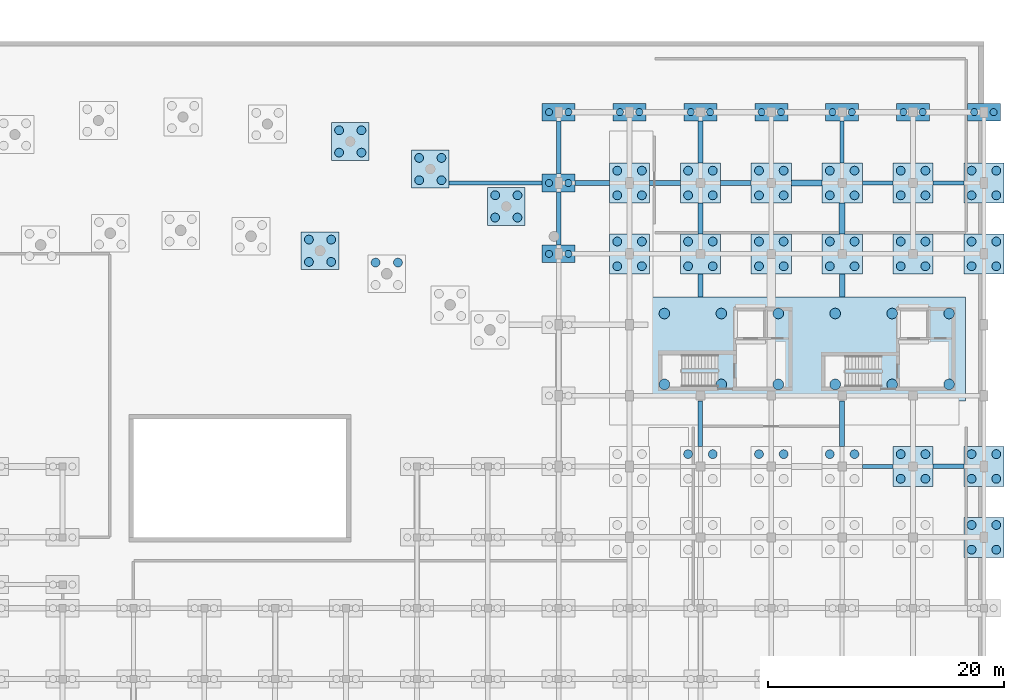
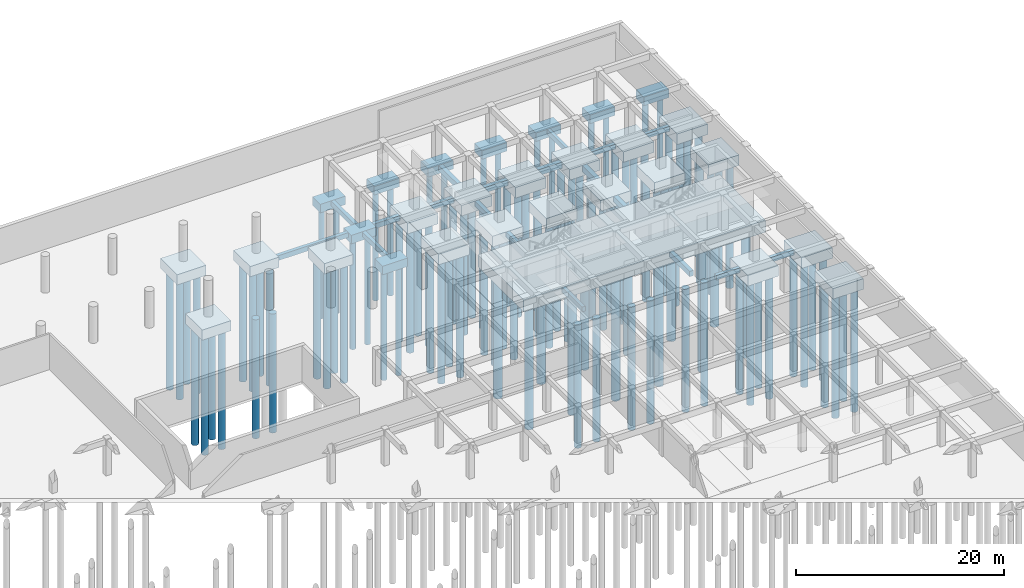
# One storey, part 13 of 41: 114 piles, 48 footings.
"""IFC4 building model written with IfcOpenShell, lengths in metres."""

from ifc_helpers import new_model, si_unit, direction, frame, origin, origin_2d, place, context, subcontext, project, spatial, polyline, rectangle, circle, outline, extrude, material, material_profile, profile_set, type_object, element, save


model = new_model("IFC4")

# Units and contexts
model_context = context("Model", 3, precision=1e-05, world=origin(), true_north=direction((0.0, 1.0)))
body_context = subcontext(model_context, "Body", "Model", "MODEL_VIEW")
ifc_project = project(units=[si_unit("LENGTHUNIT", "METRE"), si_unit("AREAUNIT", "SQUARE_METRE"), si_unit("VOLUMEUNIT", "CUBIC_METRE"), si_unit("PLANEANGLEUNIT", "RADIAN"), si_unit("MASSUNIT", "GRAM", prefix="KILO"), si_unit("POWERUNIT", "WATT"), si_unit("THERMODYNAMICTEMPERATUREUNIT", "KELVIN")], contexts=[model_context])

# Site, building, storey
site_placement = place(None, origin())
site = spatial("IfcSite", under=ifc_project, at=site_placement, CompositionType="ELEMENT")
building_placement = place(site_placement, origin())
building = spatial("IfcBuilding", under=site, at=building_placement, Name="Ruvembo Vaulted Housing Court", CompositionType="ELEMENT")
storey_placement = place(building_placement, frame((0.0, 0.0, -4.5)))
storey = spatial("IfcBuildingStorey", under=building, at=storey_placement, Name="B1", CompositionType="ELEMENT", Elevation=-4.5)

# Footings
ifc_material_1 = material(Name="Concrete C30/37", Category="concrete")
footing_type_1 = type_object("IfcFootingType", Name="GB-350x550", PredefinedType="FOOTING_BEAM", material=ifc_material_1)
footing_1_placement = place(storey_placement, frame((0.0, 0.0, -0.85009765625)))
element("IfcFooting", 1, at=footing_1_placement, inside=storey, type_object=footing_type_1, Name="Ground Tie Beam GB-162", PredefinedType="FOOTING_BEAM", context=body_context, shape_type="SweptSolid", body=[
    extrude(outline(polyline([(175.699951171875, 77.824951171875), (178.300048828125, 77.824951171875), (178.300048828125, 78.175048828125), (175.699951171875, 78.175048828125), (175.699951171875, 77.824951171875)])), origin(), (0.0, 0.0, 1.0), 0.550048828125),
])
footing_2_placement = place(storey_placement, frame((0.0, 0.0, -0.85009765625)))
element("IfcFooting", 2, at=footing_2_placement, inside=storey, type_object=footing_type_1, Name="Ground Tie Beam GB-180", PredefinedType="FOOTING_BEAM", context=body_context, shape_type="SweptSolid", body=[
    extrude(outline(polyline([(175.699951171875, 101.824951171875), (178.300048828125, 101.824951171875), (178.300048828125, 102.175048828125), (175.699951171875, 102.175048828125), (175.699951171875, 101.824951171875)])), origin(), (0.0, 0.0, 1.0), 0.550048828125),
])
footing_3_placement = place(storey_placement, frame((0.0, 0.0, -0.85009765625)))
element("IfcFooting", 3, at=footing_3_placement, inside=storey, type_object=footing_type_1, Name="Ground Tie Beam GB-348", PredefinedType="FOOTING_BEAM", context=body_context, shape_type="SweptSolid", body=[
    extrude(outline(polyline([(173.824951171875, 103.699951171875), (174.175048828125, 103.699951171875), (174.175048828125, 107.25), (173.824951171875, 107.25), (173.824951171875, 103.699951171875)])), origin(), (0.0, 0.0, 1.0), 0.550048828125),
])
footing_type_2 = type_object("IfcFootingType", Name="GB-380x580", PredefinedType="FOOTING_BEAM", material=ifc_material_1)
footing_4_placement = place(storey_placement, frame((0.0, 0.0, -0.8798828125)))
element("IfcFooting", 4, at=footing_4_placement, inside=storey, type_object=footing_type_2, Name="Ground Tie Beam GB-163", PredefinedType="FOOTING_BEAM", context=body_context, shape_type="SweptSolid", body=[
    extrude(outline(polyline([(181.699951171875, 77.81005859375), (184.300048828125, 77.81005859375), (184.300048828125, 78.18994140625), (181.699951171875, 78.18994140625), (181.699951171875, 77.81005859375)])), origin(), (0.0, 0.0, 1.0), 0.579833984375),
])
footing_5_placement = place(storey_placement, frame((0.0, 0.0, -0.8798828125)))
element("IfcFooting", 5, at=footing_5_placement, inside=storey, type_object=footing_type_2, Name="Ground Tie Beam GB-175", PredefinedType="FOOTING_BEAM", context=body_context, shape_type="SweptSolid", body=[
    extrude(outline(polyline([(140.73046875, 101.81005859375), (148.60009765625, 101.81005859375), (148.60009765625, 102.18994140625), (140.73046875, 102.18994140625), (140.73046875, 101.81005859375)])), origin(), (0.0, 0.0, 1.0), 0.579833984375),
])
footing_6_placement = place(storey_placement, frame((0.0, 0.0, -0.8798828125)))
element("IfcFooting", 6, at=footing_6_placement, inside=storey, type_object=footing_type_2, Name="Ground Tie Beam GB-181", PredefinedType="FOOTING_BEAM", context=body_context, shape_type="SweptSolid", body=[
    extrude(outline(polyline([(181.699951171875, 101.81005859375), (184.300048828125, 101.81005859375), (184.300048828125, 102.18994140625), (181.699951171875, 102.18994140625), (181.699951171875, 101.81005859375)])), origin(), (0.0, 0.0, 1.0), 0.579833984375),
])
footing_7_placement = place(storey_placement, frame((0.0, 0.0, -0.8798828125)))
element("IfcFooting", 7, at=footing_7_placement, inside=storey, type_object=footing_type_2, Name="Ground Tie Beam GB-319", PredefinedType="FOOTING_BEAM", context=body_context, shape_type="SweptSolid", body=[
    extrude(outline(polyline([(149.81005859375, 96.75), (150.18994140625, 96.75), (150.18994140625, 101.25), (149.81005859375, 101.25), (149.81005859375, 96.75)])), origin(), (0.0, 0.0, 1.0), 0.579833984375),
])
footing_8_placement = place(storey_placement, frame((0.0, 0.0, -0.8798828125)))
element("IfcFooting", 8, at=footing_8_placement, inside=storey, type_object=footing_type_2, Name="Ground Tie Beam GB-331", PredefinedType="FOOTING_BEAM", context=body_context, shape_type="SweptSolid", body=[
    extrude(outline(polyline([(161.81005859375, 79.699951171875), (162.18994140625, 79.699951171875), (162.18994140625, 83.550048828125), (161.81005859375, 83.550048828125), (161.81005859375, 79.699951171875)])), origin(), (0.0, 0.0, 1.0), 0.579833984375),
])
footing_type_3 = type_object("IfcFootingType", Name="GB-400x600", PredefinedType="FOOTING_BEAM", material=ifc_material_1)
footing_9_placement = place(storey_placement, frame((0.0, 0.0, -0.89990234375)))
element("IfcFooting", 9, at=footing_9_placement, inside=storey, type_object=footing_type_3, Name="Ground Tie Beam GB-176", PredefinedType="FOOTING_BEAM", context=body_context, shape_type="SweptSolid", body=[
    extrude(outline(polyline([(151.39990234375, 101.800048828125), (154.300048828125, 101.800048828125), (154.300048828125, 102.199951171875), (151.39990234375, 102.199951171875), (151.39990234375, 101.800048828125)])), origin(), (0.0, 0.0, 1.0), 0.599853515625),
])
footing_10_placement = place(storey_placement, frame((0.0, 0.0, -0.89990234375)))
element("IfcFooting", 10, at=footing_10_placement, inside=storey, type_object=footing_type_3, Name="Ground Tie Beam GB-320", PredefinedType="FOOTING_BEAM", context=body_context, shape_type="SweptSolid", body=[
    extrude(outline(polyline([(149.800048828125, 102.75), (150.199951171875, 102.75), (150.199951171875, 107.25), (149.800048828125, 107.25), (149.800048828125, 102.75)])), origin(), (0.0, 0.0, 1.0), 0.599853515625),
])
footing_11_placement = place(storey_placement, frame((0.0, 0.0, -0.89990234375)))
element("IfcFooting", 11, at=footing_11_placement, inside=storey, type_object=footing_type_3, Name="Ground Tie Beam GB-332", PredefinedType="FOOTING_BEAM", context=body_context, shape_type="SweptSolid", body=[
    extrude(outline(polyline([(161.800048828125, 92.35009765625), (162.199951171875, 92.35009765625), (162.199951171875, 94.300048828125), (161.800048828125, 94.300048828125), (161.800048828125, 92.35009765625)])), origin(), (0.0, 0.0, 1.0), 0.599853515625),
])
footing_type_4 = type_object("IfcFootingType", Name="GB-420x620", PredefinedType="FOOTING_BEAM", material=ifc_material_1)
footing_12_placement = place(storey_placement, frame((0.0, 0.0, -0.919921875)))
element("IfcFooting", 12, at=footing_12_placement, inside=storey, type_object=footing_type_4, Name="Ground Tie Beam GB-177", PredefinedType="FOOTING_BEAM", context=body_context, shape_type="SweptSolid", body=[
    extrude(outline(polyline([(157.699951171875, 101.7900390625), (160.300048828125, 101.7900390625), (160.300048828125, 102.2099609375), (157.699951171875, 102.2099609375), (157.699951171875, 101.7900390625)])), origin(), (0.0, 0.0, 1.0), 0.619873046875),
])
footing_13_placement = place(storey_placement, frame((0.0, 0.0, -0.919921875)))
element("IfcFooting", 13, at=footing_13_placement, inside=storey, type_object=footing_type_4, Name="Ground Tie Beam GB-333", PredefinedType="FOOTING_BEAM", context=body_context, shape_type="SweptSolid", body=[
    extrude(outline(polyline([(161.7900390625, 97.699951171875), (162.2099609375, 97.699951171875), (162.2099609375, 100.300048828125), (161.7900390625, 100.300048828125), (161.7900390625, 97.699951171875)])), origin(), (0.0, 0.0, 1.0), 0.619873046875),
])
footing_14_placement = place(storey_placement, frame((0.0, 0.0, -0.919921875)))
element("IfcFooting", 14, at=footing_14_placement, inside=storey, type_object=footing_type_4, Name="Ground Tie Beam GB-345", PredefinedType="FOOTING_BEAM", context=body_context, shape_type="SweptSolid", body=[
    extrude(outline(polyline([(173.7900390625, 79.699951171875), (174.2099609375, 79.699951171875), (174.2099609375, 83.550048828125), (173.7900390625, 83.550048828125), (173.7900390625, 79.699951171875)])), origin(), (0.0, 0.0, 1.0), 0.619873046875),
])
footing_type_5 = type_object("IfcFootingType", Name="GB-450x650", PredefinedType="FOOTING_BEAM", material=ifc_material_1)
footing_15_placement = place(storey_placement, frame((0.0, 0.0, -0.949951171875)))
element("IfcFooting", 15, at=footing_15_placement, inside=storey, type_object=footing_type_5, Name="Ground Tie Beam GB-178", PredefinedType="FOOTING_BEAM", context=body_context, shape_type="SweptSolid", body=[
    extrude(outline(polyline([(163.699951171875, 101.77490234375), (166.300048828125, 101.77490234375), (166.300048828125, 102.22509765625), (163.699951171875, 102.22509765625), (163.699951171875, 101.77490234375)])), origin(), (0.0, 0.0, 1.0), 0.64990234375),
])
footing_16_placement = place(storey_placement, frame((0.0, 0.0, -0.949951171875)))
element("IfcFooting", 16, at=footing_16_placement, inside=storey, type_object=footing_type_5, Name="Ground Tie Beam GB-334", PredefinedType="FOOTING_BEAM", context=body_context, shape_type="SweptSolid", body=[
    extrude(outline(polyline([(161.77490234375, 103.699951171875), (162.22509765625, 103.699951171875), (162.22509765625, 107.25), (161.77490234375, 107.25), (161.77490234375, 103.699951171875)])), origin(), (0.0, 0.0, 1.0), 0.64990234375),
])
footing_17_placement = place(storey_placement, frame((0.0, 0.0, -0.949951171875)))
element("IfcFooting", 17, at=footing_17_placement, inside=storey, type_object=footing_type_5, Name="Ground Tie Beam GB-346", PredefinedType="FOOTING_BEAM", context=body_context, shape_type="SweptSolid", body=[
    extrude(outline(polyline([(173.77490234375, 92.35009765625), (174.22509765625, 92.35009765625), (174.22509765625, 94.300048828125), (173.77490234375, 94.300048828125), (173.77490234375, 92.35009765625)])), origin(), (0.0, 0.0, 1.0), 0.64990234375),
])
footing_type_6 = type_object("IfcFootingType", Name="GB-500x700", PredefinedType="FOOTING_BEAM", material=ifc_material_1)
footing_18_placement = place(storey_placement, frame((0.0, 0.0, -1.0)))
element("IfcFooting", 18, at=footing_18_placement, inside=storey, type_object=footing_type_6, Name="Ground Tie Beam GB-179", PredefinedType="FOOTING_BEAM", context=body_context, shape_type="SweptSolid", body=[
    extrude(outline(polyline([(169.699951171875, 101.75), (172.300048828125, 101.75), (172.300048828125, 102.25), (169.699951171875, 102.25), (169.699951171875, 101.75)])), origin(), (0.0, 0.0, 1.0), 0.699951171875),
])
footing_19_placement = place(storey_placement, frame((0.0, 0.0, -1.0)))
element("IfcFooting", 19, at=footing_19_placement, inside=storey, type_object=footing_type_6, Name="Ground Tie Beam GB-347", PredefinedType="FOOTING_BEAM", context=body_context, shape_type="SweptSolid", body=[
    extrude(outline(polyline([(173.75, 97.699951171875), (174.25, 97.699951171875), (174.25, 100.300048828125), (173.75, 100.300048828125), (173.75, 97.699951171875)])), origin(), (0.0, 0.0, 1.0), 0.699951171875),
])
ifc_material_2 = material(Name="Concrete C35/45", Category="concrete")
footing_type_7 = type_object("IfcFootingType", Name="PC-2P-A", PredefinedType="PILE_CAP", material=ifc_material_2)
for number, where, z_axis, x_axis, name in (
    (20, (150.0, 96.0, -1.300048828125), (0.0, 0.0, 1.0), (1.0, 0.0, 0.0), "Pile Cap PC1 #306"),
    (21, (150.0, 102.0, -1.300048828125), (0.0, 0.0, 1.0), (1.0, 0.0, 0.0), "Pile Cap PC1 #307"),
    (22, (150.0, 108.0, -1.300048828125), (0.0, 0.0, 1.0), (1.0, 0.0, 0.0), "Pile Cap PC1 #308"),
    (23, (156.0, 108.0, -1.300048828125), (0.0, 0.0, 1.0), (1.0, 0.0, 0.0), "Pile Cap PC1 #322"),
    (24, (162.0, 108.0, -1.300048828125), (0.0, 0.0, 1.0), (1.0, 0.0, 0.0), "Pile Cap PC1 #336"),
    (25, (168.0, 108.0, -1.300048828125), (0.0, 0.0, 1.0), (1.0, 0.0, 0.0), "Pile Cap PC1 #350"),
    (26, (174.0, 108.0, -1.300048828125), (0.0, 0.0, 1.0), (1.0, 0.0, 0.0), "Pile Cap PC1 #364"),
    (27, (180.0, 108.0, -1.300048828125), (0.0, 0.0, 1.0), (1.0, 0.0, 0.0), "Pile Cap PC1 #378"),
    (28, (186.0, 108.0, -1.300048828125), (0.0, 0.0, 1.0), (1.0, 0.0, 0.0), "Pile Cap PC1 #392"),
):
    element("IfcFooting", number, at=place(storey_placement, frame(where, z_axis=z_axis, x_axis=x_axis)), inside=storey, type_object=footing_type_7, Name=name, PredefinedType="PILE_CAP", context=body_context, shape_type="SweptSolid", body=[
        extrude(rectangle(XDim=2.800048828125, YDim=1.5, at=origin_2d()), origin(), (0.0, 0.0, 1.0), 1.0),
    ])
footing_type_8 = type_object("IfcFootingType", Name="PC-4P-A", PredefinedType="PILE_CAP", material=ifc_material_2)
for number, where, z_axis, x_axis, name in (
    (29, (129.794677734375, 96.26318359375, -1.5), (0.0, 0.0, 1.0), (1.0, 0.0, 0.0), "Pile Cap PC4 #436"),
    (30, (132.353759765625, 105.51611328125, -1.5), (0.0, 0.0, 1.0), (1.0, 0.0, 0.0), "Pile Cap PC4 #437"),
    (31, (139.13037109375, 103.178955078125, -1.5), (0.0, 0.0, 1.0), (1.0, 0.0, 0.0), "Pile Cap PC4 #439"),
    (32, (145.564453125, 100.018310546875, -1.5), (0.0, 0.0, 1.0), (1.0, 0.0, 0.0), "Pile Cap PC4 #441"),
):
    element("IfcFooting", number, at=place(storey_placement, frame(where, z_axis=z_axis, x_axis=x_axis)), inside=storey, type_object=footing_type_8, Name=name, PredefinedType="PILE_CAP", context=body_context, shape_type="SweptSolid", body=[
        extrude(rectangle(XDim=3.199951171875, YDim=3.199951171875, at=origin_2d()), origin(), (0.0, 0.0, 1.0), 1.199951171875),
    ])
footing_type_9 = type_object("IfcFootingType", Name="PC-4P-B", PredefinedType="PILE_CAP", material=ifc_material_2)
for number, where, z_axis, x_axis, name in (
    (33, (156.0, 96.0, -1.550048828125), (0.0, 0.0, 1.0), (1.0, 0.0, 0.0), "Pile Cap PC5 #320"),
    (34, (156.0, 102.0, -1.550048828125), (0.0, 0.0, 1.0), (1.0, 0.0, 0.0), "Pile Cap PC5 #321"),
    (35, (162.0, 96.0, -1.550048828125), (0.0, 0.0, 1.0), (1.0, 0.0, 0.0), "Pile Cap PC5 #334"),
    (36, (162.0, 102.0, -1.550048828125), (0.0, 0.0, 1.0), (1.0, 0.0, 0.0), "Pile Cap PC5 #335"),
    (37, (168.0, 96.0, -1.550048828125), (0.0, 0.0, 1.0), (1.0, 0.0, 0.0), "Pile Cap PC5 #348"),
    (38, (168.0, 102.0, -1.550048828125), (0.0, 0.0, 1.0), (1.0, 0.0, 0.0), "Pile Cap PC5 #349"),
    (39, (174.0, 96.0, -1.550048828125), (0.0, 0.0, 1.0), (1.0, 0.0, 0.0), "Pile Cap PC5 #362"),
    (40, (174.0, 102.0, -1.550048828125), (0.0, 0.0, 1.0), (1.0, 0.0, 0.0), "Pile Cap PC5 #363"),
    (41, (180.0, 78.0, -1.550048828125), (0.0, 0.0, 1.0), (1.0, 0.0, 0.0), "Pile Cap PC5 #375"),
    (42, (180.0, 96.0, -1.550048828125), (0.0, 0.0, 1.0), (1.0, 0.0, 0.0), "Pile Cap PC5 #376"),
    (43, (180.0, 102.0, -1.550048828125), (0.0, 0.0, 1.0), (1.0, 0.0, 0.0), "Pile Cap PC5 #377"),
    (44, (186.0, 72.0, -1.550048828125), (0.0, 0.0, 1.0), (1.0, 0.0, 0.0), "Pile Cap PC5 #388"),
    (45, (186.0, 78.0, -1.550048828125), (0.0, 0.0, 1.0), (1.0, 0.0, 0.0), "Pile Cap PC5 #389"),
    (46, (186.0, 96.0, -1.550048828125), (0.0, 0.0, 1.0), (1.0, 0.0, 0.0), "Pile Cap PC5 #390"),
    (47, (186.0, 102.0, -1.550048828125), (0.0, 0.0, 1.0), (1.0, 0.0, 0.0), "Pile Cap PC5 #391"),
):
    element("IfcFooting", number, at=place(storey_placement, frame(where, z_axis=z_axis, x_axis=x_axis)), inside=storey, type_object=footing_type_9, Name=name, PredefinedType="PILE_CAP", context=body_context, shape_type="SweptSolid", body=[
        extrude(rectangle(XDim=3.39990234375, YDim=3.39990234375, at=origin_2d()), origin(), (0.0, 0.0, 1.0), 1.25),
    ])
footing_type_10 = type_object("IfcFootingType", Name="PC-MAT-D", PredefinedType="PILE_CAP", material=ifc_material_2)
footing_20_placement = place(storey_placement, frame((171.0, 87.949951171875, -1.719970703125), z_axis=(0.0, 0.0, 1.0), x_axis=(1.0, 0.0, 0.0)))
element("IfcFooting", 48, at=footing_20_placement, inside=storey, type_object=footing_type_10, Name="Core Pile Cap PCM-D", PredefinedType="PILE_CAP", context=body_context, shape_type="SweptSolid", body=[
    extrude(rectangle(XDim=26.89990234375, YDim=8.800048828125, at=origin_2d()), origin(), (0.0, 0.0, 1.0), 1.419921875),
])

# Piles
ifc_material_profile_1 = material_profile(ifc_material_1, circle(Radius=0.300048828125, at=origin_2d()), Name="PILE D600")
ifc_profile_set_1 = profile_set([ifc_material_profile_1], Name="Concrete C30/37")
pile_type_1 = type_object("IfcPileType", Name="PILE-BORED-600", PredefinedType="BORED", material=ifc_profile_set_1)
for number, where, z_axis, x_axis, name in (
    (49, (149.179931640625, 96.0, -1.199951171875), (0.0, 0.0, -1.0), (1.0, 0.0, 0.0), "Bored Pile PILE-0835"),
    (50, (150.820068359375, 96.0, -1.199951171875), (0.0, 0.0, -1.0), (1.0, 0.0, 0.0), "Bored Pile PILE-0836"),
    (51, (149.179931640625, 102.0, -1.199951171875), (0.0, 0.0, -1.0), (1.0, 0.0, 0.0), "Bored Pile PILE-0837"),
    (52, (150.820068359375, 102.0, -1.199951171875), (0.0, 0.0, -1.0), (1.0, 0.0, 0.0), "Bored Pile PILE-0838"),
    (53, (149.179931640625, 108.0, -1.199951171875), (0.0, 0.0, -1.0), (1.0, 0.0, 0.0), "Bored Pile PILE-0839"),
    (54, (150.820068359375, 108.0, -1.199951171875), (0.0, 0.0, -1.0), (1.0, 0.0, 0.0), "Bored Pile PILE-0840"),
    (55, (155.179931640625, 108.0, -1.199951171875), (0.0, 0.0, -1.0), (1.0, 0.0, 0.0), "Bored Pile PILE-0875"),
    (56, (156.820068359375, 108.0, -1.199951171875), (0.0, 0.0, -1.0), (1.0, 0.0, 0.0), "Bored Pile PILE-0876"),
    (57, (161.179931640625, 108.0, -1.199951171875), (0.0, 0.0, -1.0), (1.0, 0.0, 0.0), "Bored Pile PILE-0911"),
    (58, (162.820068359375, 108.0, -1.199951171875), (0.0, 0.0, -1.0), (1.0, 0.0, 0.0), "Bored Pile PILE-0912"),
    (59, (167.179931640625, 108.0, -1.199951171875), (0.0, 0.0, -1.0), (1.0, 0.0, 0.0), "Bored Pile PILE-0947"),
    (60, (168.820068359375, 108.0, -1.199951171875), (0.0, 0.0, -1.0), (1.0, 0.0, 0.0), "Bored Pile PILE-0948"),
    (61, (173.179931640625, 108.0, -1.199951171875), (0.0, 0.0, -1.0), (1.0, 0.0, 0.0), "Bored Pile PILE-0983"),
    (62, (174.820068359375, 108.0, -1.199951171875), (0.0, 0.0, -1.0), (1.0, 0.0, 0.0), "Bored Pile PILE-0984"),
    (63, (179.179931640625, 108.0, -1.199951171875), (0.0, 0.0, -1.0), (1.0, 0.0, 0.0), "Bored Pile PILE-1019"),
    (64, (180.820068359375, 108.0, -1.199951171875), (0.0, 0.0, -1.0), (1.0, 0.0, 0.0), "Bored Pile PILE-1020"),
    (65, (185.179931640625, 108.0, -1.199951171875), (0.0, 0.0, -1.0), (1.0, 0.0, 0.0), "Bored Pile PILE-1055"),
    (66, (186.820068359375, 108.0, -1.199951171875), (0.0, 0.0, -1.0), (1.0, 0.0, 0.0), "Bored Pile PILE-1056"),
):
    element("IfcPile", number, at=place(storey_placement, frame(where, z_axis=z_axis, x_axis=x_axis)), inside=storey, type_object=pile_type_1, Name=name, PredefinedType="BORED", context=body_context, shape_type="SweptSolid", body=[
        extrude(circle(Radius=0.300048828125, at=origin_2d()), origin(), (0.0, 0.0, 1.0), 13.0),
    ])
ifc_material_profile_2 = material_profile(ifc_material_1, circle(Radius=0.375, at=origin_2d()), Name="PILE D750")
ifc_profile_set_2 = profile_set([ifc_material_profile_2], Name="Concrete C30/37")
pile_type_2 = type_object("IfcPileType", Name="PILE-BORED-750", PredefinedType="BORED", material=ifc_profile_set_2)
for number, where, z_axis, x_axis, name in (
    (67, (154.955078125, 94.955078125, -1.449951171875), (0.0, 0.0, -1.0), (1.0, 0.0, 0.0), "Bored Pile PILE-0867"),
    (68, (157.044921875, 94.955078125, -1.449951171875), (0.0, 0.0, -1.0), (1.0, 0.0, 0.0), "Bored Pile PILE-0868"),
    (69, (154.955078125, 97.044921875, -1.449951171875), (0.0, 0.0, -1.0), (1.0, 0.0, 0.0), "Bored Pile PILE-0869"),
    (70, (157.044921875, 97.044921875, -1.449951171875), (0.0, 0.0, -1.0), (1.0, 0.0, 0.0), "Bored Pile PILE-0870"),
    (71, (154.955078125, 100.955078125, -1.449951171875), (0.0, 0.0, -1.0), (1.0, 0.0, 0.0), "Bored Pile PILE-0871"),
    (72, (157.044921875, 100.955078125, -1.449951171875), (0.0, 0.0, -1.0), (1.0, 0.0, 0.0), "Bored Pile PILE-0872"),
    (73, (154.955078125, 103.044921875, -1.449951171875), (0.0, 0.0, -1.0), (1.0, 0.0, 0.0), "Bored Pile PILE-0873"),
    (74, (157.044921875, 103.044921875, -1.449951171875), (0.0, 0.0, -1.0), (1.0, 0.0, 0.0), "Bored Pile PILE-0874"),
    (75, (160.955078125, 79.044921875, -1.449951171875), (0.0, 0.0, -1.0), (1.0, 0.0, 0.0), "Bored Pile PILE-0901"),
    (76, (163.044921875, 79.044921875, -1.449951171875), (0.0, 0.0, -1.0), (1.0, 0.0, 0.0), "Bored Pile PILE-0902"),
    (77, (160.955078125, 94.955078125, -1.449951171875), (0.0, 0.0, -1.0), (1.0, 0.0, 0.0), "Bored Pile PILE-0903"),
    (78, (163.044921875, 94.955078125, -1.449951171875), (0.0, 0.0, -1.0), (1.0, 0.0, 0.0), "Bored Pile PILE-0904"),
    (79, (160.955078125, 97.044921875, -1.449951171875), (0.0, 0.0, -1.0), (1.0, 0.0, 0.0), "Bored Pile PILE-0905"),
    (80, (163.044921875, 97.044921875, -1.449951171875), (0.0, 0.0, -1.0), (1.0, 0.0, 0.0), "Bored Pile PILE-0906"),
    (81, (160.955078125, 100.955078125, -1.449951171875), (0.0, 0.0, -1.0), (1.0, 0.0, 0.0), "Bored Pile PILE-0907"),
    (82, (163.044921875, 100.955078125, -1.449951171875), (0.0, 0.0, -1.0), (1.0, 0.0, 0.0), "Bored Pile PILE-0908"),
    (83, (160.955078125, 103.044921875, -1.449951171875), (0.0, 0.0, -1.0), (1.0, 0.0, 0.0), "Bored Pile PILE-0909"),
    (84, (163.044921875, 103.044921875, -1.449951171875), (0.0, 0.0, -1.0), (1.0, 0.0, 0.0), "Bored Pile PILE-0910"),
    (85, (166.955078125, 79.044921875, -1.449951171875), (0.0, 0.0, -1.0), (1.0, 0.0, 0.0), "Bored Pile PILE-0937"),
    (86, (169.044921875, 79.044921875, -1.449951171875), (0.0, 0.0, -1.0), (1.0, 0.0, 0.0), "Bored Pile PILE-0938"),
    (87, (166.955078125, 94.955078125, -1.449951171875), (0.0, 0.0, -1.0), (1.0, 0.0, 0.0), "Bored Pile PILE-0939"),
    (88, (169.044921875, 94.955078125, -1.449951171875), (0.0, 0.0, -1.0), (1.0, 0.0, 0.0), "Bored Pile PILE-0940"),
    (89, (166.955078125, 97.044921875, -1.449951171875), (0.0, 0.0, -1.0), (1.0, 0.0, 0.0), "Bored Pile PILE-0941"),
    (90, (169.044921875, 97.044921875, -1.449951171875), (0.0, 0.0, -1.0), (1.0, 0.0, 0.0), "Bored Pile PILE-0942"),
    (91, (166.955078125, 100.955078125, -1.449951171875), (0.0, 0.0, -1.0), (1.0, 0.0, 0.0), "Bored Pile PILE-0943"),
    (92, (169.044921875, 100.955078125, -1.449951171875), (0.0, 0.0, -1.0), (1.0, 0.0, 0.0), "Bored Pile PILE-0944"),
    (93, (166.955078125, 103.044921875, -1.449951171875), (0.0, 0.0, -1.0), (1.0, 0.0, 0.0), "Bored Pile PILE-0945"),
    (94, (169.044921875, 103.044921875, -1.449951171875), (0.0, 0.0, -1.0), (1.0, 0.0, 0.0), "Bored Pile PILE-0946"),
    (95, (172.955078125, 79.044921875, -1.449951171875), (0.0, 0.0, -1.0), (1.0, 0.0, 0.0), "Bored Pile PILE-0973"),
    (96, (175.044921875, 79.044921875, -1.449951171875), (0.0, 0.0, -1.0), (1.0, 0.0, 0.0), "Bored Pile PILE-0974"),
    (97, (172.955078125, 94.955078125, -1.449951171875), (0.0, 0.0, -1.0), (1.0, 0.0, 0.0), "Bored Pile PILE-0975"),
    (98, (175.044921875, 94.955078125, -1.449951171875), (0.0, 0.0, -1.0), (1.0, 0.0, 0.0), "Bored Pile PILE-0976"),
    (99, (172.955078125, 97.044921875, -1.449951171875), (0.0, 0.0, -1.0), (1.0, 0.0, 0.0), "Bored Pile PILE-0977"),
    (100, (175.044921875, 97.044921875, -1.449951171875), (0.0, 0.0, -1.0), (1.0, 0.0, 0.0), "Bored Pile PILE-0978"),
    (101, (172.955078125, 100.955078125, -1.449951171875), (0.0, 0.0, -1.0), (1.0, 0.0, 0.0), "Bored Pile PILE-0979"),
    (102, (175.044921875, 100.955078125, -1.449951171875), (0.0, 0.0, -1.0), (1.0, 0.0, 0.0), "Bored Pile PILE-0980"),
    (103, (172.955078125, 103.044921875, -1.449951171875), (0.0, 0.0, -1.0), (1.0, 0.0, 0.0), "Bored Pile PILE-0981"),
    (104, (175.044921875, 103.044921875, -1.449951171875), (0.0, 0.0, -1.0), (1.0, 0.0, 0.0), "Bored Pile PILE-0982"),
    (105, (178.955078125, 76.955078125, -1.449951171875), (0.0, 0.0, -1.0), (1.0, 0.0, 0.0), "Bored Pile PILE-1007"),
    (106, (181.044921875, 76.955078125, -1.449951171875), (0.0, 0.0, -1.0), (1.0, 0.0, 0.0), "Bored Pile PILE-1008"),
    (107, (178.955078125, 79.044921875, -1.449951171875), (0.0, 0.0, -1.0), (1.0, 0.0, 0.0), "Bored Pile PILE-1009"),
    (108, (181.044921875, 79.044921875, -1.449951171875), (0.0, 0.0, -1.0), (1.0, 0.0, 0.0), "Bored Pile PILE-1010"),
    (109, (178.955078125, 94.955078125, -1.449951171875), (0.0, 0.0, -1.0), (1.0, 0.0, 0.0), "Bored Pile PILE-1011"),
    (110, (181.044921875, 94.955078125, -1.449951171875), (0.0, 0.0, -1.0), (1.0, 0.0, 0.0), "Bored Pile PILE-1012"),
    (111, (178.955078125, 97.044921875, -1.449951171875), (0.0, 0.0, -1.0), (1.0, 0.0, 0.0), "Bored Pile PILE-1013"),
    (112, (181.044921875, 97.044921875, -1.449951171875), (0.0, 0.0, -1.0), (1.0, 0.0, 0.0), "Bored Pile PILE-1014"),
    (113, (178.955078125, 100.955078125, -1.449951171875), (0.0, 0.0, -1.0), (1.0, 0.0, 0.0), "Bored Pile PILE-1015"),
    (114, (181.044921875, 100.955078125, -1.449951171875), (0.0, 0.0, -1.0), (1.0, 0.0, 0.0), "Bored Pile PILE-1016"),
    (115, (178.955078125, 103.044921875, -1.449951171875), (0.0, 0.0, -1.0), (1.0, 0.0, 0.0), "Bored Pile PILE-1017"),
    (116, (181.044921875, 103.044921875, -1.449951171875), (0.0, 0.0, -1.0), (1.0, 0.0, 0.0), "Bored Pile PILE-1018"),
    (117, (184.955078125, 70.955078125, -1.449951171875), (0.0, 0.0, -1.0), (1.0, 0.0, 0.0), "Bored Pile PILE-1039"),
    (118, (187.044921875, 70.955078125, -1.449951171875), (0.0, 0.0, -1.0), (1.0, 0.0, 0.0), "Bored Pile PILE-1040"),
    (119, (184.955078125, 73.044921875, -1.449951171875), (0.0, 0.0, -1.0), (1.0, 0.0, 0.0), "Bored Pile PILE-1041"),
    (120, (187.044921875, 73.044921875, -1.449951171875), (0.0, 0.0, -1.0), (1.0, 0.0, 0.0), "Bored Pile PILE-1042"),
    (121, (184.955078125, 76.955078125, -1.449951171875), (0.0, 0.0, -1.0), (1.0, 0.0, 0.0), "Bored Pile PILE-1043"),
    (122, (187.044921875, 76.955078125, -1.449951171875), (0.0, 0.0, -1.0), (1.0, 0.0, 0.0), "Bored Pile PILE-1044"),
    (123, (184.955078125, 79.044921875, -1.449951171875), (0.0, 0.0, -1.0), (1.0, 0.0, 0.0), "Bored Pile PILE-1045"),
    (124, (187.044921875, 79.044921875, -1.449951171875), (0.0, 0.0, -1.0), (1.0, 0.0, 0.0), "Bored Pile PILE-1046"),
    (125, (184.955078125, 94.955078125, -1.449951171875), (0.0, 0.0, -1.0), (1.0, 0.0, 0.0), "Bored Pile PILE-1047"),
    (126, (187.044921875, 94.955078125, -1.449951171875), (0.0, 0.0, -1.0), (1.0, 0.0, 0.0), "Bored Pile PILE-1048"),
    (127, (184.955078125, 97.044921875, -1.449951171875), (0.0, 0.0, -1.0), (1.0, 0.0, 0.0), "Bored Pile PILE-1049"),
    (128, (187.044921875, 97.044921875, -1.449951171875), (0.0, 0.0, -1.0), (1.0, 0.0, 0.0), "Bored Pile PILE-1050"),
    (129, (184.955078125, 100.955078125, -1.449951171875), (0.0, 0.0, -1.0), (1.0, 0.0, 0.0), "Bored Pile PILE-1051"),
    (130, (187.044921875, 100.955078125, -1.449951171875), (0.0, 0.0, -1.0), (1.0, 0.0, 0.0), "Bored Pile PILE-1052"),
    (131, (184.955078125, 103.044921875, -1.449951171875), (0.0, 0.0, -1.0), (1.0, 0.0, 0.0), "Bored Pile PILE-1053"),
    (132, (187.044921875, 103.044921875, -1.449951171875), (0.0, 0.0, -1.0), (1.0, 0.0, 0.0), "Bored Pile PILE-1054"),
):
    element("IfcPile", number, at=place(storey_placement, frame(where, z_axis=z_axis, x_axis=x_axis)), inside=storey, type_object=pile_type_2, Name=name, PredefinedType="BORED", context=body_context, shape_type="SweptSolid", body=[
        extrude(circle(Radius=0.375, at=origin_2d()), origin(), (0.0, 0.0, 1.0), 14.5),
    ])
for number, where, z_axis, x_axis, name in (
    (133, (128.849609375, 95.318359375, -1.39990234375), (0.0, 0.0, -1.0), (1.0, 0.0, 0.0), "Bored Pile PILE-1215"),
    (134, (130.73974609375, 95.318359375, -1.39990234375), (0.0, 0.0, -1.0), (1.0, 0.0, 0.0), "Bored Pile PILE-1216"),
    (135, (128.849609375, 97.208251953125, -1.39990234375), (0.0, 0.0, -1.0), (1.0, 0.0, 0.0), "Bored Pile PILE-1217"),
    (136, (130.73974609375, 97.208251953125, -1.39990234375), (0.0, 0.0, -1.0), (1.0, 0.0, 0.0), "Bored Pile PILE-1218"),
    (137, (131.40869140625, 104.571044921875, -1.39990234375), (0.0, 0.0, -1.0), (1.0, 0.0, 0.0), "Bored Pile PILE-1219"),
    (138, (133.298583984375, 104.571044921875, -1.39990234375), (0.0, 0.0, -1.0), (1.0, 0.0, 0.0), "Bored Pile PILE-1220"),
    (139, (131.40869140625, 106.4609375, -1.39990234375), (0.0, 0.0, -1.0), (1.0, 0.0, 0.0), "Bored Pile PILE-1221"),
    (140, (133.298583984375, 106.4609375, -1.39990234375), (0.0, 0.0, -1.0), (1.0, 0.0, 0.0), "Bored Pile PILE-1222"),
    (141, (134.4970703125, 95.2607421875, -1.39990234375), (0.0, 0.0, -1.0), (1.0, 0.0, 0.0), "Bored Pile PILE-1225"),
    (142, (136.386962890625, 95.2607421875, -1.39990234375), (0.0, 0.0, -1.0), (1.0, 0.0, 0.0), "Bored Pile PILE-1226"),
    (143, (138.185302734375, 102.23388671875, -1.39990234375), (0.0, 0.0, -1.0), (1.0, 0.0, 0.0), "Bored Pile PILE-1227"),
    (144, (140.075439453125, 102.23388671875, -1.39990234375), (0.0, 0.0, -1.0), (1.0, 0.0, 0.0), "Bored Pile PILE-1228"),
    (145, (138.185302734375, 104.1240234375, -1.39990234375), (0.0, 0.0, -1.0), (1.0, 0.0, 0.0), "Bored Pile PILE-1229"),
    (146, (140.075439453125, 104.1240234375, -1.39990234375), (0.0, 0.0, -1.0), (1.0, 0.0, 0.0), "Bored Pile PILE-1230"),
    (147, (144.619384765625, 99.073486328125, -1.39990234375), (0.0, 0.0, -1.0), (1.0, 0.0, 0.0), "Bored Pile PILE-1235"),
    (148, (146.509521484375, 99.073486328125, -1.39990234375), (0.0, 0.0, -1.0), (1.0, 0.0, 0.0), "Bored Pile PILE-1236"),
    (149, (144.619384765625, 100.96337890625, -1.39990234375), (0.0, 0.0, -1.0), (1.0, 0.0, 0.0), "Bored Pile PILE-1237"),
    (150, (146.509521484375, 100.96337890625, -1.39990234375), (0.0, 0.0, -1.0), (1.0, 0.0, 0.0), "Bored Pile PILE-1238"),
):
    element("IfcPile", number, at=place(storey_placement, frame(where, z_axis=z_axis, x_axis=x_axis)), inside=storey, type_object=pile_type_2, Name=name, PredefinedType="BORED", context=body_context, shape_type="SweptSolid", body=[
        extrude(circle(Radius=0.375, at=origin_2d()), origin(), (0.0, 0.0, 1.0), 14.0),
    ])
ifc_material_profile_3 = material_profile(ifc_material_1, circle(Radius=0.449951171875, at=origin_2d()), Name="PILE D900")
ifc_profile_set_3 = profile_set([ifc_material_profile_3], Name="Concrete C30/37")
pile_type_3 = type_object("IfcPileType", Name="PILE-BORED-900", PredefinedType="BORED", material=ifc_profile_set_3)
for number, where, z_axis, x_axis, name in (
    (151, (158.949951171875, 84.949951171875, -1.6201171875), (0.0, 0.0, -1.0), (1.0, 0.0, 0.0), "Bored Pile PILE-0037"),
    (152, (158.949951171875, 90.949951171875, -1.6201171875), (0.0, 0.0, -1.0), (1.0, 0.0, 0.0), "Bored Pile PILE-0038"),
    (153, (163.77001953125, 84.949951171875, -1.6201171875), (0.0, 0.0, -1.0), (1.0, 0.0, 0.0), "Bored Pile PILE-0039"),
    (154, (163.77001953125, 90.949951171875, -1.6201171875), (0.0, 0.0, -1.0), (1.0, 0.0, 0.0), "Bored Pile PILE-0040"),
    (155, (168.590087890625, 84.949951171875, -1.6201171875), (0.0, 0.0, -1.0), (1.0, 0.0, 0.0), "Bored Pile PILE-0041"),
    (156, (168.590087890625, 90.949951171875, -1.6201171875), (0.0, 0.0, -1.0), (1.0, 0.0, 0.0), "Bored Pile PILE-0042"),
    (157, (173.409912109375, 84.949951171875, -1.6201171875), (0.0, 0.0, -1.0), (1.0, 0.0, 0.0), "Bored Pile PILE-0043"),
    (158, (173.409912109375, 90.949951171875, -1.6201171875), (0.0, 0.0, -1.0), (1.0, 0.0, 0.0), "Bored Pile PILE-0044"),
    (159, (178.22998046875, 84.949951171875, -1.6201171875), (0.0, 0.0, -1.0), (1.0, 0.0, 0.0), "Bored Pile PILE-0045"),
    (160, (178.22998046875, 90.949951171875, -1.6201171875), (0.0, 0.0, -1.0), (1.0, 0.0, 0.0), "Bored Pile PILE-0046"),
    (161, (183.050048828125, 84.949951171875, -1.6201171875), (0.0, 0.0, -1.0), (1.0, 0.0, 0.0), "Bored Pile PILE-0047"),
    (162, (183.050048828125, 90.949951171875, -1.6201171875), (0.0, 0.0, -1.0), (1.0, 0.0, 0.0), "Bored Pile PILE-0048"),
):
    element("IfcPile", number, at=place(storey_placement, frame(where, z_axis=z_axis, x_axis=x_axis)), inside=storey, type_object=pile_type_3, Name=name, PredefinedType="BORED", context=body_context, shape_type="SweptSolid", body=[
        extrude(circle(Radius=0.449951171875, at=origin_2d()), origin(), (0.0, 0.0, 1.0), 15.0),
    ])

save(model, "model.ifc")
